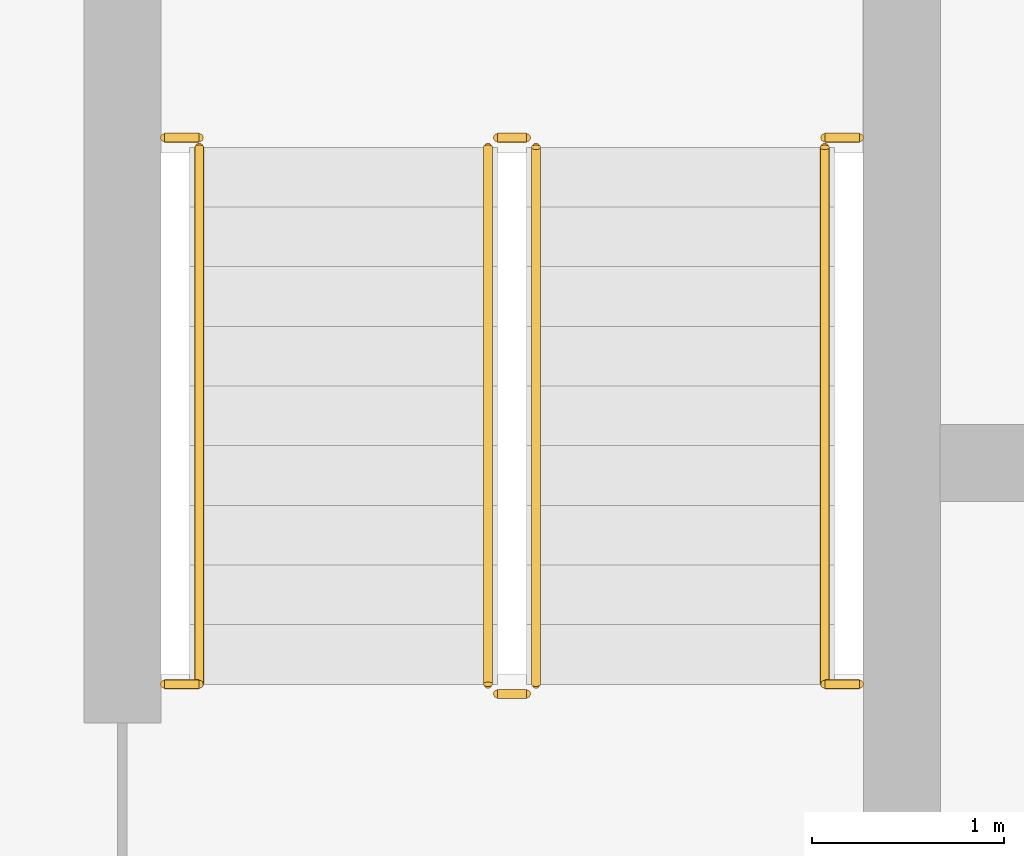
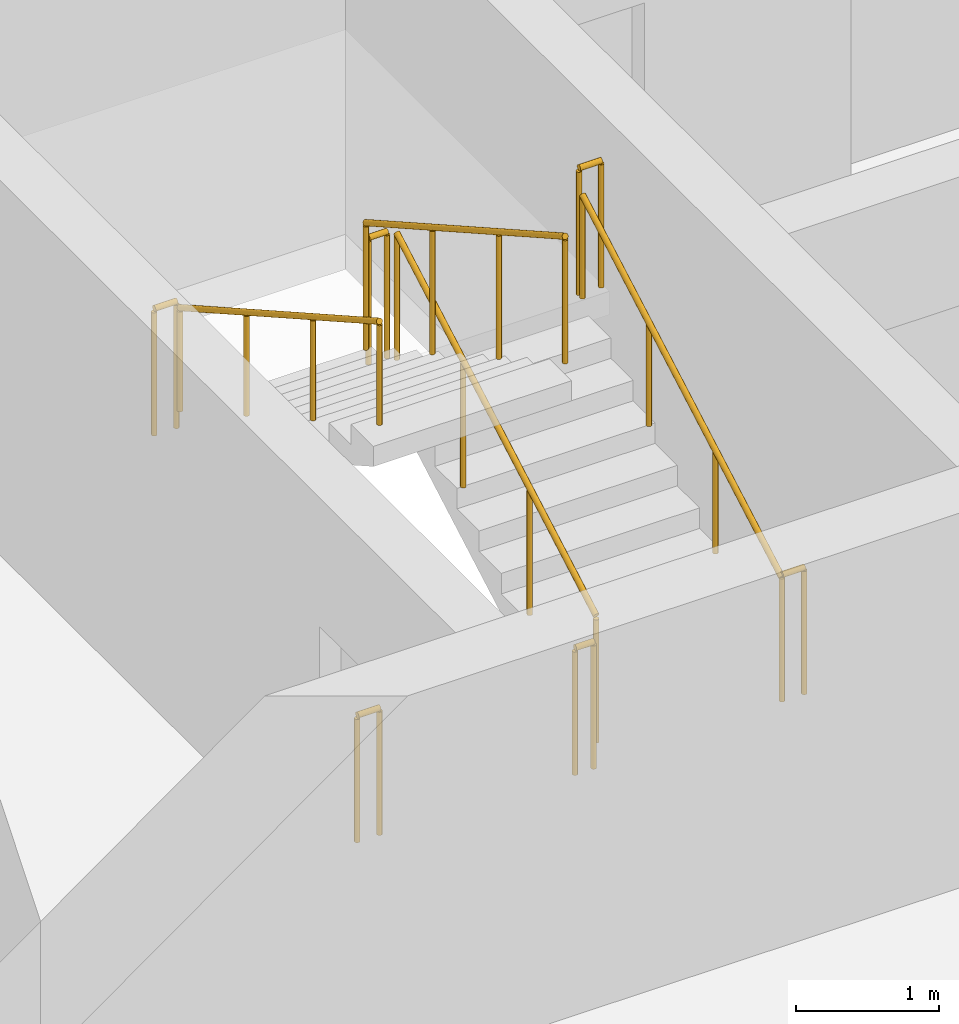
# One storey, part 18 of 22: 10 railings.
"""IFC4 building model written with IfcOpenShell, lengths in metres."""

from ifc_helpers import new_model, si_unit, direction, frame, origin, origin_2d, place, context, subcontext, project, spatial, circle, extrude, material, type_object, element, save


model = new_model("IFC4")

# Units and contexts
model_context = context("Model", 3, precision=1e-05, world=origin(), true_north=direction((0.0, 1.0)))
body_context = subcontext(model_context, "Body", "Model", "MODEL_VIEW")
ifc_project = project(units=[si_unit("LENGTHUNIT", "METRE"), si_unit("AREAUNIT", "SQUARE_METRE"), si_unit("VOLUMEUNIT", "CUBIC_METRE"), si_unit("PLANEANGLEUNIT", "RADIAN"), si_unit("MASSUNIT", "GRAM", prefix="KILO")], contexts=[model_context])

# Site, building, storey
site_placement = place(None, origin())
site = spatial("IfcSite", under=ifc_project, at=site_placement, CompositionType="ELEMENT")
building_placement = place(site_placement, origin())
building = spatial("IfcBuilding", under=site, at=building_placement, Name="Madar Terraces", CompositionType="ELEMENT")
storey_placement = place(building_placement, frame((0.0, 0.0, 279.10009765625)))
storey = spatial("IfcBuildingStorey", under=building, at=storey_placement, Name="L73", CompositionType="ELEMENT", Elevation=279.10009765625)

# Railings
ifc_material_1 = material(Name="Stainless steel railing", Category="steel")
railing_type_1 = type_object("IfcRailingType", Name="Stair guard 1100", PredefinedType="GUARDRAIL", material=ifc_material_1)
railing_1_placement = place(storey_placement, frame((21.199951171875, 17.60009765625, 0.1748046875)))
element("IfcRailing", 1, at=railing_1_placement, inside=storey, type_object=railing_type_1, Name="L73 ST1 stair guard 1", PredefinedType="GUARDRAIL", context=body_context, shape_type="SweptSolid", body=[
    extrude(circle(Radius=0.02392578125, at=origin_2d()), frame((0.0, 0.0, 1.076171875), z_axis=(0.0, 0.870782738816, 0.491667999549), x_axis=(-1.0, 0.0, 0.0)), (0.0, 0.0, 1.0), 3.203857421875),
    extrude(circle(Radius=0.02099609375, at=origin_2d()), origin(), (0.0, 0.0, 1.0), 1.052001953125),
    extrude(circle(Radius=0.02099609375, at=origin_2d()), frame((0.0, 0.929931640625, 0.525146484375)), (0.0, 0.0, 1.0), 1.052001953125),
    extrude(circle(Radius=0.02099609375, at=origin_2d()), frame((0.0, 1.85986328125, 1.050048828125)), (0.0, 0.0, 1.0), 1.052001953125),
    extrude(circle(Radius=0.02099609375, at=origin_2d()), frame((0.0, 2.789794921875, 1.5751953125)), (0.0, 0.0, 1.0), 1.052001953125),
])
railing_2_placement = place(storey_placement, frame((21.14990234375, 20.43994140625, 1.75)))
element("IfcRailing", 2, at=railing_2_placement, inside=storey, type_object=railing_type_1, Name="L73 ST1 stair guard 2", PredefinedType="GUARDRAIL", context=body_context, shape_type="SweptSolid", body=[
    extrude(circle(Radius=0.02392578125, at=origin_2d()), frame((0.0, 0.0, 1.076171875), z_axis=(-1.0, 0.0, 0.0), x_axis=(0.0, -1.0, 0.0)), (0.0, 0.0, 1.0), 0.14990234375),
    extrude(circle(Radius=0.02099609375, at=origin_2d()), origin(), (0.0, 0.0, 1.0), 1.052001953125),
    extrude(circle(Radius=0.02099609375, at=origin_2d()), frame((-0.14990234375, 0.0, 0.0)), (0.0, 0.0, 1.0), 1.052001953125),
])
railing_3_placement = place(storey_placement, frame((20.949951171875, 20.389892578125, 1.9248046875)))
element("IfcRailing", 3, at=railing_3_placement, inside=storey, type_object=railing_type_1, Name="L73 ST1 stair guard 3", PredefinedType="GUARDRAIL", context=body_context, shape_type="SweptSolid", body=[
    extrude(circle(Radius=0.02392578125, at=origin_2d()), frame((0.0, 0.0, 1.076171875), z_axis=(0.0, -0.870782738816, 0.491667999549), x_axis=(1.0, 0.0, 0.0)), (0.0, 0.0, 1.0), 3.203857421875),
    extrude(circle(Radius=0.02099609375, at=origin_2d()), origin(), (0.0, 0.0, 1.0), 1.052001953125),
    extrude(circle(Radius=0.02099609375, at=origin_2d()), frame((0.0, -0.929931640625, 0.525146484375)), (0.0, 0.0, 1.0), 1.052001953125),
    extrude(circle(Radius=0.02099609375, at=origin_2d()), frame((0.0, -1.85986328125, 1.050048828125)), (0.0, 0.0, 1.0), 1.052001953125),
    extrude(circle(Radius=0.02099609375, at=origin_2d()), frame((0.0, -2.789794921875, 1.5751953125)), (0.0, 0.0, 1.0), 1.052001953125),
])
railing_4_placement = place(storey_placement, frame((21.14990234375, 17.550048828125, 0.0)))
element("IfcRailing", 4, at=railing_4_placement, inside=storey, type_object=railing_type_1, Name="L73 ST1 stair guard 4", PredefinedType="GUARDRAIL", context=body_context, shape_type="SweptSolid", body=[
    extrude(circle(Radius=0.02392578125, at=origin_2d()), frame((0.0, 0.0, 1.076171875), z_axis=(-1.0, 0.0, 0.0), x_axis=(0.0, -1.0, 0.0)), (0.0, 0.0, 1.0), 0.14990234375),
    extrude(circle(Radius=0.02099609375, at=origin_2d()), origin(), (0.0, 0.0, 1.0), 1.052001953125),
    extrude(circle(Radius=0.02099609375, at=origin_2d()), frame((-0.14990234375, 0.0, 0.0)), (0.0, 0.0, 1.0), 1.052001953125),
])
for number, where, name in (
    (5, (19.27001953125, 20.43994140625, 1.75), "L73 stair guard seat 1"),
    (6, (22.699951171875, 20.43994140625, 1.75), "L73 stair guard seat 2"),
    (7, (19.27001953125, 17.60009765625, 0.0), "L73 stair guard floor 1"),
    (8, (22.699951171875, 17.60009765625, 0.0), "L73 stair guard floor 2"),
):
    element("IfcRailing", number, at=place(storey_placement, frame(where)), inside=storey, type_object=railing_type_1, Name=name, PredefinedType="GUARDRAIL", context=body_context, shape_type="SweptSolid", body=[
        extrude(circle(Radius=0.02392578125, at=origin_2d()), frame((0.0, 0.0, 1.076171875), z_axis=(1.0, 0.0, 0.0), x_axis=(0.0, 1.0, 0.0)), (0.0, 0.0, 1.0), 0.179931640625),
        extrude(circle(Radius=0.02099609375, at=origin_2d()), origin(), (0.0, 0.0, 1.0), 1.052001953125),
        extrude(circle(Radius=0.02099609375, at=origin_2d()), frame((0.179931640625, 0.0, 0.0)), (0.0, 0.0, 1.0), 1.052001953125),
    ])
ifc_material_2 = material(Name="Stainless steel railing", Category="steel")
railing_type_2 = type_object("IfcRailingType", Name="Stair handrail 900", PredefinedType="HANDRAIL", material=ifc_material_2)
railing_5_placement = place(storey_placement, frame((22.699951171875, 17.60009765625, 0.1748046875)))
element("IfcRailing", 9, at=railing_5_placement, inside=storey, type_object=railing_type_2, Name="L73 ST1 stair handrail 1", PredefinedType="HANDRAIL", context=body_context, shape_type="SweptSolid", body=[
    extrude(circle(Radius=0.02392578125, at=origin_2d()), frame((0.0, 0.0, 0.8759765625), z_axis=(0.0, 0.870782738816, 0.491667999549), x_axis=(-1.0, 0.0, 0.0)), (0.0, 0.0, 1.0), 3.203857421875),
    extrude(circle(Radius=0.02099609375, at=origin_2d()), origin(), (0.0, 0.0, 1.0), 0.851806640625),
    extrude(circle(Radius=0.02099609375, at=origin_2d()), frame((0.0, 0.929931640625, 0.525146484375)), (0.0, 0.0, 1.0), 0.851806640625),
    extrude(circle(Radius=0.02099609375, at=origin_2d()), frame((0.0, 1.85986328125, 1.050048828125)), (0.0, 0.0, 1.0), 0.851806640625),
    extrude(circle(Radius=0.02099609375, at=origin_2d()), frame((0.0, 2.789794921875, 1.5751953125)), (0.0, 0.0, 1.0), 0.851806640625),
])
railing_6_placement = place(storey_placement, frame((19.449951171875, 20.389892578125, 1.9248046875)))
element("IfcRailing", 10, at=railing_6_placement, inside=storey, type_object=railing_type_2, Name="L73 ST1 stair handrail 2", PredefinedType="HANDRAIL", context=body_context, shape_type="SweptSolid", body=[
    extrude(circle(Radius=0.02392578125, at=origin_2d()), frame((0.0, 0.0, 0.8759765625), z_axis=(0.0, -0.870782738816, 0.491667999549), x_axis=(1.0, 0.0, 0.0)), (0.0, 0.0, 1.0), 3.203857421875),
    extrude(circle(Radius=0.02099609375, at=origin_2d()), origin(), (0.0, 0.0, 1.0), 0.851806640625),
    extrude(circle(Radius=0.02099609375, at=origin_2d()), frame((0.0, -0.929931640625, 0.525146484375)), (0.0, 0.0, 1.0), 0.851806640625),
    extrude(circle(Radius=0.02099609375, at=origin_2d()), frame((0.0, -1.85986328125, 1.050048828125)), (0.0, 0.0, 1.0), 0.851806640625),
    extrude(circle(Radius=0.02099609375, at=origin_2d()), frame((0.0, -2.789794921875, 1.5751953125)), (0.0, 0.0, 1.0), 0.851806640625),
])

save(model, "model.ifc")
